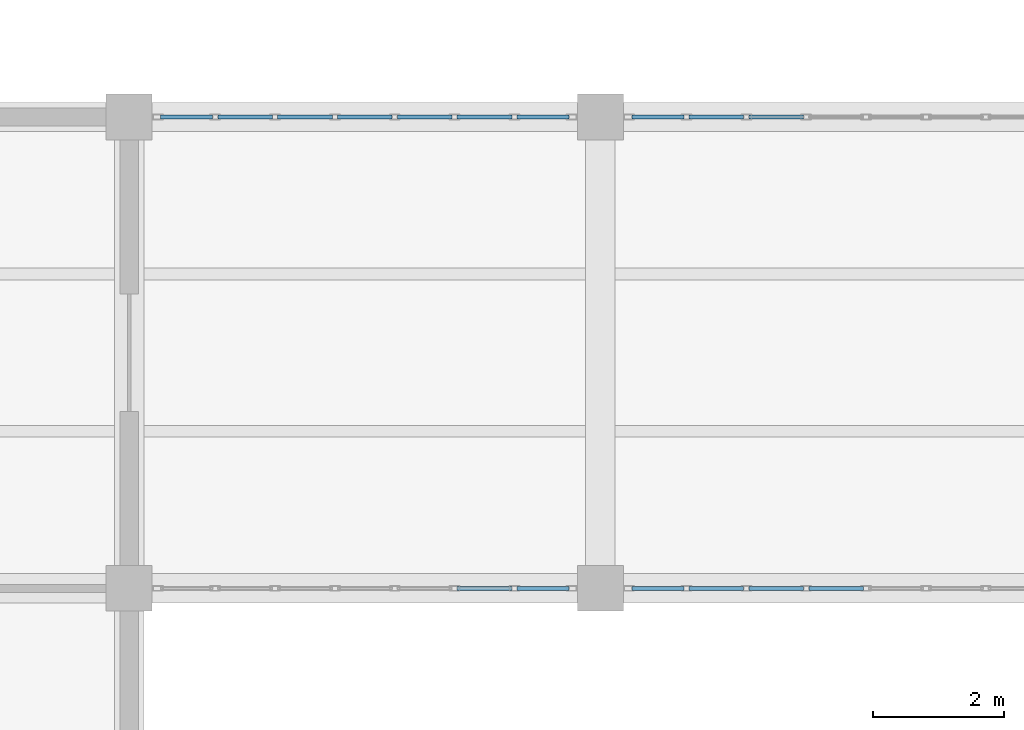
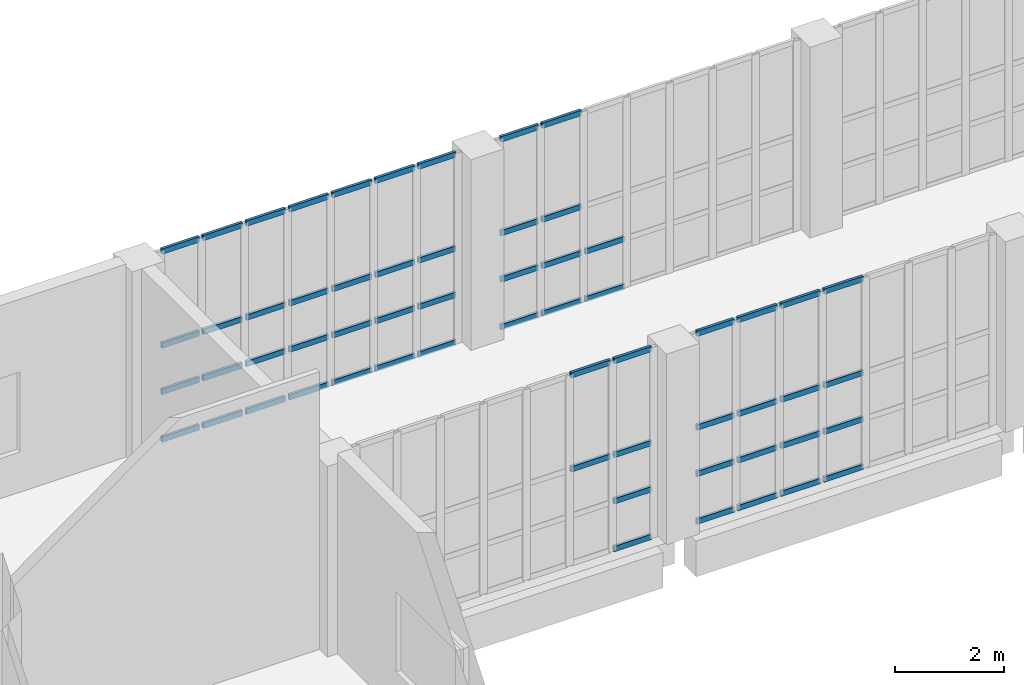
# One storey, part 54 of 108: 60 members, 4 elements without a shape of their own.
"""IFC4 building model written with IfcOpenShell, lengths in metres."""

from ifc_helpers import new_model, si_unit, direction, frame, origin, origin_2d, place, context, subcontext, project, spatial, hollow_rectangle, extrude, material, layer, layer_set, material_profile, profile_set, type_object, element, aggregate, save


model = new_model("IFC4")

# Units and contexts
model_context = context("Model", 3, precision=1e-05, world=origin(), true_north=direction((0.0, 1.0)))
body_context = subcontext(model_context, "Body", "Model", "MODEL_VIEW")
ifc_project = project(units=[si_unit("LENGTHUNIT", "METRE"), si_unit("AREAUNIT", "SQUARE_METRE"), si_unit("VOLUMEUNIT", "CUBIC_METRE"), si_unit("PLANEANGLEUNIT", "RADIAN"), si_unit("MASSUNIT", "GRAM", prefix="KILO"), si_unit("THERMODYNAMICTEMPERATUREUNIT", "KELVIN"), si_unit("POWERUNIT", "WATT")], contexts=[model_context])

# Site, building, storey
site_placement = place(None, origin())
site = spatial("IfcSite", under=ifc_project, at=site_placement, CompositionType="ELEMENT")
building_placement = place(site_placement, origin())
building = spatial("IfcBuilding", under=site, at=building_placement, Name="Kaldorven Railside Theatre", CompositionType="ELEMENT")
storey_placement = place(building_placement, frame((0.0, 0.0, 5.39990234375)))
storey = spatial("IfcBuildingStorey", under=building, at=storey_placement, Name="L01", CompositionType="ELEMENT", Elevation=5.39990234375)

# Curtain wall, members
ifc_material_1 = material(Name="Low-E laminated solar-control glass", Category="glass")
ifc_layer = layer(ifc_material_1, 0.159912109375, Name="Low-E laminated solar-control glass")
ifc_layer_set = layer_set([ifc_layer], Name="Low-E laminated solar-control glass")
curtain_wall_type = type_object("IfcCurtainWallType", Name="CWT-25", PredefinedType="USERDEFINED", material=ifc_layer_set)
curtain_wall_1_placement = place(storey_placement, origin())
curtain_wall_1 = element("IfcCurtainWall", 1, at=curtain_wall_1_placement, inside=storey, type_object=curtain_wall_type, Name="Sinusoidal Fluted Curtain Wall CW-L01-BS01", ObjectType="FLUTED GLAZING", PredefinedType="USERDEFINED")
ifc_material_2 = material(Name="Anodised bronze aluminium", Category="aluminium")
ifc_material_profile = material_profile(ifc_material_2, hollow_rectangle(XDim=0.06005859375, YDim=0.1201171875, WallThickness=0.0048828125, at=origin_2d()), Name="RHS 120x60x5")
ifc_profile_set = profile_set([ifc_material_profile], Name="Anodised bronze aluminium")
member_type = type_object("IfcMemberType", Name="CWT-120", PredefinedType="USERDEFINED", material=ifc_profile_set)
member_1_placement = place(storey_placement, frame((49.011474609375, 69.60009765625, 2.14013671875), z_axis=(1.0, 0.0, 0.0), x_axis=(0.0, 1.0, 0.0)))
member_1 = element("IfcMember", 2, at=member_1_placement, type_object=member_type, Name="CW-L01-BS01 transom 6.3", ObjectType="TRANSOM", PredefinedType="USERDEFINED", context=body_context, shape_type="SweptSolid", body=[
    extrude(hollow_rectangle(XDim=0.06005859375, YDim=0.1201171875, WallThickness=0.0048828125, at=origin_2d()), origin(), (0.0, 0.0, 1.0), 0.834228515625),
])
member_2_placement = place(storey_placement, frame((49.011474609375, 69.60009765625, 4.25), z_axis=(1.0, 0.0, 0.0), x_axis=(0.0, 1.0, 0.0)))
member_2 = element("IfcMember", 3, at=member_2_placement, type_object=member_type, Name="CW-L01-BS01 transom 6.4", ObjectType="TRANSOM", PredefinedType="USERDEFINED", context=body_context, shape_type="SweptSolid", body=[
    extrude(hollow_rectangle(XDim=0.06005859375, YDim=0.1201171875, WallThickness=0.0048828125, at=origin_2d()), origin(), (0.0, 0.0, 1.0), 0.834228515625),
])
member_3_placement = place(storey_placement, frame((49.92578125, 69.60009765625, 0.030029296875), z_axis=(1.0, 0.0, 0.0), x_axis=(0.0, 1.0, 0.0)))
member_3 = element("IfcMember", 4, at=member_3_placement, type_object=member_type, Name="CW-L01-BS01 transom 7.1", ObjectType="TRANSOM", PredefinedType="USERDEFINED", context=body_context, shape_type="SweptSolid", body=[
    extrude(hollow_rectangle(XDim=0.06005859375, YDim=0.1201171875, WallThickness=0.0048828125, at=origin_2d()), origin(), (0.0, 0.0, 1.0), 0.794189453125),
])
member_4_placement = place(storey_placement, frame((49.92578125, 69.60009765625, 1.10009765625), z_axis=(1.0, 0.0, 0.0), x_axis=(0.0, 1.0, 0.0)))
member_4 = element("IfcMember", 5, at=member_4_placement, type_object=member_type, Name="CW-L01-BS01 transom 7.2", ObjectType="TRANSOM", PredefinedType="USERDEFINED", context=body_context, shape_type="SweptSolid", body=[
    extrude(hollow_rectangle(XDim=0.06005859375, YDim=0.1201171875, WallThickness=0.0048828125, at=origin_2d()), origin(), (0.0, 0.0, 1.0), 0.794189453125),
])
member_5_placement = place(storey_placement, frame((49.92578125, 69.60009765625, 2.14013671875), z_axis=(1.0, 0.0, 0.0), x_axis=(0.0, 1.0, 0.0)))
member_5 = element("IfcMember", 6, at=member_5_placement, type_object=member_type, Name="CW-L01-BS01 transom 7.3", ObjectType="TRANSOM", PredefinedType="USERDEFINED", context=body_context, shape_type="SweptSolid", body=[
    extrude(hollow_rectangle(XDim=0.06005859375, YDim=0.1201171875, WallThickness=0.0048828125, at=origin_2d()), origin(), (0.0, 0.0, 1.0), 0.794189453125),
])
member_6_placement = place(storey_placement, frame((49.92578125, 69.60009765625, 4.25), z_axis=(1.0, 0.0, 0.0), x_axis=(0.0, 1.0, 0.0)))
member_6 = element("IfcMember", 7, at=member_6_placement, type_object=member_type, Name="CW-L01-BS01 transom 7.4", ObjectType="TRANSOM", PredefinedType="USERDEFINED", context=body_context, shape_type="SweptSolid", body=[
    extrude(hollow_rectangle(XDim=0.06005859375, YDim=0.1201171875, WallThickness=0.0048828125, at=origin_2d()), origin(), (0.0, 0.0, 1.0), 0.794189453125),
])
aggregate(curtain_wall_1, [member_1, member_2, member_3, member_4, member_5, member_6])

curtain_wall_2_placement = place(storey_placement, origin())
curtain_wall_2 = element("IfcCurtainWall", 8, at=curtain_wall_2_placement, inside=storey, type_object=curtain_wall_type, Name="Sinusoidal Fluted Curtain Wall CW-L01-BN01", ObjectType="FLUTED GLAZING", PredefinedType="USERDEFINED")
member_7_placement = place(storey_placement, frame((44.47998046875, 76.800048828125, 0.030029296875), z_axis=(1.0, 0.0, 0.0), x_axis=(0.0, 1.0, 0.0)))
member_7 = element("IfcMember", 9, at=member_7_placement, type_object=member_type, Name="CW-L01-BN01 transom 1.1", ObjectType="TRANSOM", PredefinedType="USERDEFINED", context=body_context, shape_type="SweptSolid", body=[
    extrude(hollow_rectangle(XDim=0.06005859375, YDim=0.1201171875, WallThickness=0.0048828125, at=origin_2d()), origin(), (0.0, 0.0, 1.0), 0.794189453125),
])
member_8_placement = place(storey_placement, frame((44.47998046875, 76.800048828125, 1.10009765625), z_axis=(1.0, 0.0, 0.0), x_axis=(0.0, 1.0, 0.0)))
member_8 = element("IfcMember", 10, at=member_8_placement, type_object=member_type, Name="CW-L01-BN01 transom 1.2", ObjectType="TRANSOM", PredefinedType="USERDEFINED", context=body_context, shape_type="SweptSolid", body=[
    extrude(hollow_rectangle(XDim=0.06005859375, YDim=0.1201171875, WallThickness=0.0048828125, at=origin_2d()), origin(), (0.0, 0.0, 1.0), 0.794189453125),
])
member_9_placement = place(storey_placement, frame((44.47998046875, 76.800048828125, 2.14013671875), z_axis=(1.0, 0.0, 0.0), x_axis=(0.0, 1.0, 0.0)))
member_9 = element("IfcMember", 11, at=member_9_placement, type_object=member_type, Name="CW-L01-BN01 transom 1.3", ObjectType="TRANSOM", PredefinedType="USERDEFINED", context=body_context, shape_type="SweptSolid", body=[
    extrude(hollow_rectangle(XDim=0.06005859375, YDim=0.1201171875, WallThickness=0.0048828125, at=origin_2d()), origin(), (0.0, 0.0, 1.0), 0.794189453125),
])
member_10_placement = place(storey_placement, frame((44.47998046875, 76.800048828125, 4.25), z_axis=(1.0, 0.0, 0.0), x_axis=(0.0, 1.0, 0.0)))
member_10 = element("IfcMember", 12, at=member_10_placement, type_object=member_type, Name="CW-L01-BN01 transom 1.4", ObjectType="TRANSOM", PredefinedType="USERDEFINED", context=body_context, shape_type="SweptSolid", body=[
    extrude(hollow_rectangle(XDim=0.06005859375, YDim=0.1201171875, WallThickness=0.0048828125, at=origin_2d()), origin(), (0.0, 0.0, 1.0), 0.794189453125),
])
member_11_placement = place(storey_placement, frame((45.354248046875, 76.800048828125, 0.030029296875), z_axis=(1.0, 0.0, 0.0), x_axis=(0.0, 1.0, 0.0)))
member_11 = element("IfcMember", 13, at=member_11_placement, type_object=member_type, Name="CW-L01-BN01 transom 2.1", ObjectType="TRANSOM", PredefinedType="USERDEFINED", context=body_context, shape_type="SweptSolid", body=[
    extrude(hollow_rectangle(XDim=0.06005859375, YDim=0.1201171875, WallThickness=0.0048828125, at=origin_2d()), origin(), (0.0, 0.0, 1.0), 0.834228515625),
])
member_12_placement = place(storey_placement, frame((45.354248046875, 76.800048828125, 1.10009765625), z_axis=(1.0, 0.0, 0.0), x_axis=(0.0, 1.0, 0.0)))
member_12 = element("IfcMember", 14, at=member_12_placement, type_object=member_type, Name="CW-L01-BN01 transom 2.2", ObjectType="TRANSOM", PredefinedType="USERDEFINED", context=body_context, shape_type="SweptSolid", body=[
    extrude(hollow_rectangle(XDim=0.06005859375, YDim=0.1201171875, WallThickness=0.0048828125, at=origin_2d()), origin(), (0.0, 0.0, 1.0), 0.834228515625),
])
member_13_placement = place(storey_placement, frame((45.354248046875, 76.800048828125, 2.14013671875), z_axis=(1.0, 0.0, 0.0), x_axis=(0.0, 1.0, 0.0)))
member_13 = element("IfcMember", 15, at=member_13_placement, type_object=member_type, Name="CW-L01-BN01 transom 2.3", ObjectType="TRANSOM", PredefinedType="USERDEFINED", context=body_context, shape_type="SweptSolid", body=[
    extrude(hollow_rectangle(XDim=0.06005859375, YDim=0.1201171875, WallThickness=0.0048828125, at=origin_2d()), origin(), (0.0, 0.0, 1.0), 0.834228515625),
])
member_14_placement = place(storey_placement, frame((45.354248046875, 76.800048828125, 4.25), z_axis=(1.0, 0.0, 0.0), x_axis=(0.0, 1.0, 0.0)))
member_14 = element("IfcMember", 16, at=member_14_placement, type_object=member_type, Name="CW-L01-BN01 transom 2.4", ObjectType="TRANSOM", PredefinedType="USERDEFINED", context=body_context, shape_type="SweptSolid", body=[
    extrude(hollow_rectangle(XDim=0.06005859375, YDim=0.1201171875, WallThickness=0.0048828125, at=origin_2d()), origin(), (0.0, 0.0, 1.0), 0.834228515625),
])
member_15_placement = place(storey_placement, frame((46.2685546875, 76.800048828125, 0.030029296875), z_axis=(1.0, 0.0, 0.0), x_axis=(0.0, 1.0, 0.0)))
member_15 = element("IfcMember", 17, at=member_15_placement, type_object=member_type, Name="CW-L01-BN01 transom 3.1", ObjectType="TRANSOM", PredefinedType="USERDEFINED", context=body_context, shape_type="SweptSolid", body=[
    extrude(hollow_rectangle(XDim=0.06005859375, YDim=0.1201171875, WallThickness=0.0048828125, at=origin_2d()), origin(), (0.0, 0.0, 1.0), 0.834228515625),
])
member_16_placement = place(storey_placement, frame((46.2685546875, 76.800048828125, 1.10009765625), z_axis=(1.0, 0.0, 0.0), x_axis=(0.0, 1.0, 0.0)))
member_16 = element("IfcMember", 18, at=member_16_placement, type_object=member_type, Name="CW-L01-BN01 transom 3.2", ObjectType="TRANSOM", PredefinedType="USERDEFINED", context=body_context, shape_type="SweptSolid", body=[
    extrude(hollow_rectangle(XDim=0.06005859375, YDim=0.1201171875, WallThickness=0.0048828125, at=origin_2d()), origin(), (0.0, 0.0, 1.0), 0.834228515625),
])
member_17_placement = place(storey_placement, frame((46.2685546875, 76.800048828125, 2.14013671875), z_axis=(1.0, 0.0, 0.0), x_axis=(0.0, 1.0, 0.0)))
member_17 = element("IfcMember", 19, at=member_17_placement, type_object=member_type, Name="CW-L01-BN01 transom 3.3", ObjectType="TRANSOM", PredefinedType="USERDEFINED", context=body_context, shape_type="SweptSolid", body=[
    extrude(hollow_rectangle(XDim=0.06005859375, YDim=0.1201171875, WallThickness=0.0048828125, at=origin_2d()), origin(), (0.0, 0.0, 1.0), 0.834228515625),
])
member_18_placement = place(storey_placement, frame((46.2685546875, 76.800048828125, 4.25), z_axis=(1.0, 0.0, 0.0), x_axis=(0.0, 1.0, 0.0)))
member_18 = element("IfcMember", 20, at=member_18_placement, type_object=member_type, Name="CW-L01-BN01 transom 3.4", ObjectType="TRANSOM", PredefinedType="USERDEFINED", context=body_context, shape_type="SweptSolid", body=[
    extrude(hollow_rectangle(XDim=0.06005859375, YDim=0.1201171875, WallThickness=0.0048828125, at=origin_2d()), origin(), (0.0, 0.0, 1.0), 0.834228515625),
])
member_19_placement = place(storey_placement, frame((47.182861328125, 76.800048828125, 0.030029296875), z_axis=(1.0, 0.0, 0.0), x_axis=(0.0, 1.0, 0.0)))
member_19 = element("IfcMember", 21, at=member_19_placement, type_object=member_type, Name="CW-L01-BN01 transom 4.1", ObjectType="TRANSOM", PredefinedType="USERDEFINED", context=body_context, shape_type="SweptSolid", body=[
    extrude(hollow_rectangle(XDim=0.06005859375, YDim=0.1201171875, WallThickness=0.0048828125, at=origin_2d()), origin(), (0.0, 0.0, 1.0), 0.834228515625),
])
member_20_placement = place(storey_placement, frame((47.182861328125, 76.800048828125, 1.10009765625), z_axis=(1.0, 0.0, 0.0), x_axis=(0.0, 1.0, 0.0)))
member_20 = element("IfcMember", 22, at=member_20_placement, type_object=member_type, Name="CW-L01-BN01 transom 4.2", ObjectType="TRANSOM", PredefinedType="USERDEFINED", context=body_context, shape_type="SweptSolid", body=[
    extrude(hollow_rectangle(XDim=0.06005859375, YDim=0.1201171875, WallThickness=0.0048828125, at=origin_2d()), origin(), (0.0, 0.0, 1.0), 0.834228515625),
])
member_21_placement = place(storey_placement, frame((47.182861328125, 76.800048828125, 2.14013671875), z_axis=(1.0, 0.0, 0.0), x_axis=(0.0, 1.0, 0.0)))
member_21 = element("IfcMember", 23, at=member_21_placement, type_object=member_type, Name="CW-L01-BN01 transom 4.3", ObjectType="TRANSOM", PredefinedType="USERDEFINED", context=body_context, shape_type="SweptSolid", body=[
    extrude(hollow_rectangle(XDim=0.06005859375, YDim=0.1201171875, WallThickness=0.0048828125, at=origin_2d()), origin(), (0.0, 0.0, 1.0), 0.834228515625),
])
member_22_placement = place(storey_placement, frame((47.182861328125, 76.800048828125, 4.25), z_axis=(1.0, 0.0, 0.0), x_axis=(0.0, 1.0, 0.0)))
member_22 = element("IfcMember", 24, at=member_22_placement, type_object=member_type, Name="CW-L01-BN01 transom 4.4", ObjectType="TRANSOM", PredefinedType="USERDEFINED", context=body_context, shape_type="SweptSolid", body=[
    extrude(hollow_rectangle(XDim=0.06005859375, YDim=0.1201171875, WallThickness=0.0048828125, at=origin_2d()), origin(), (0.0, 0.0, 1.0), 0.834228515625),
])
member_23_placement = place(storey_placement, frame((48.09716796875, 76.800048828125, 0.030029296875), z_axis=(1.0, 0.0, 0.0), x_axis=(0.0, 1.0, 0.0)))
member_23 = element("IfcMember", 25, at=member_23_placement, type_object=member_type, Name="CW-L01-BN01 transom 5.1", ObjectType="TRANSOM", PredefinedType="USERDEFINED", context=body_context, shape_type="SweptSolid", body=[
    extrude(hollow_rectangle(XDim=0.06005859375, YDim=0.1201171875, WallThickness=0.0048828125, at=origin_2d()), origin(), (0.0, 0.0, 1.0), 0.834228515625),
])
member_24_placement = place(storey_placement, frame((48.09716796875, 76.800048828125, 1.10009765625), z_axis=(1.0, 0.0, 0.0), x_axis=(0.0, 1.0, 0.0)))
member_24 = element("IfcMember", 26, at=member_24_placement, type_object=member_type, Name="CW-L01-BN01 transom 5.2", ObjectType="TRANSOM", PredefinedType="USERDEFINED", context=body_context, shape_type="SweptSolid", body=[
    extrude(hollow_rectangle(XDim=0.06005859375, YDim=0.1201171875, WallThickness=0.0048828125, at=origin_2d()), origin(), (0.0, 0.0, 1.0), 0.834228515625),
])
member_25_placement = place(storey_placement, frame((48.09716796875, 76.800048828125, 2.14013671875), z_axis=(1.0, 0.0, 0.0), x_axis=(0.0, 1.0, 0.0)))
member_25 = element("IfcMember", 27, at=member_25_placement, type_object=member_type, Name="CW-L01-BN01 transom 5.3", ObjectType="TRANSOM", PredefinedType="USERDEFINED", context=body_context, shape_type="SweptSolid", body=[
    extrude(hollow_rectangle(XDim=0.06005859375, YDim=0.1201171875, WallThickness=0.0048828125, at=origin_2d()), origin(), (0.0, 0.0, 1.0), 0.834228515625),
])
member_26_placement = place(storey_placement, frame((48.09716796875, 76.800048828125, 4.25), z_axis=(1.0, 0.0, 0.0), x_axis=(0.0, 1.0, 0.0)))
member_26 = element("IfcMember", 28, at=member_26_placement, type_object=member_type, Name="CW-L01-BN01 transom 5.4", ObjectType="TRANSOM", PredefinedType="USERDEFINED", context=body_context, shape_type="SweptSolid", body=[
    extrude(hollow_rectangle(XDim=0.06005859375, YDim=0.1201171875, WallThickness=0.0048828125, at=origin_2d()), origin(), (0.0, 0.0, 1.0), 0.834228515625),
])
member_27_placement = place(storey_placement, frame((49.011474609375, 76.800048828125, 0.030029296875), z_axis=(1.0, 0.0, 0.0), x_axis=(0.0, 1.0, 0.0)))
member_27 = element("IfcMember", 29, at=member_27_placement, type_object=member_type, Name="CW-L01-BN01 transom 6.1", ObjectType="TRANSOM", PredefinedType="USERDEFINED", context=body_context, shape_type="SweptSolid", body=[
    extrude(hollow_rectangle(XDim=0.06005859375, YDim=0.1201171875, WallThickness=0.0048828125, at=origin_2d()), origin(), (0.0, 0.0, 1.0), 0.834228515625),
])
member_28_placement = place(storey_placement, frame((49.011474609375, 76.800048828125, 1.10009765625), z_axis=(1.0, 0.0, 0.0), x_axis=(0.0, 1.0, 0.0)))
member_28 = element("IfcMember", 30, at=member_28_placement, type_object=member_type, Name="CW-L01-BN01 transom 6.2", ObjectType="TRANSOM", PredefinedType="USERDEFINED", context=body_context, shape_type="SweptSolid", body=[
    extrude(hollow_rectangle(XDim=0.06005859375, YDim=0.1201171875, WallThickness=0.0048828125, at=origin_2d()), origin(), (0.0, 0.0, 1.0), 0.834228515625),
])
member_29_placement = place(storey_placement, frame((49.011474609375, 76.800048828125, 2.14013671875), z_axis=(1.0, 0.0, 0.0), x_axis=(0.0, 1.0, 0.0)))
member_29 = element("IfcMember", 31, at=member_29_placement, type_object=member_type, Name="CW-L01-BN01 transom 6.3", ObjectType="TRANSOM", PredefinedType="USERDEFINED", context=body_context, shape_type="SweptSolid", body=[
    extrude(hollow_rectangle(XDim=0.06005859375, YDim=0.1201171875, WallThickness=0.0048828125, at=origin_2d()), origin(), (0.0, 0.0, 1.0), 0.834228515625),
])
member_30_placement = place(storey_placement, frame((49.011474609375, 76.800048828125, 4.25), z_axis=(1.0, 0.0, 0.0), x_axis=(0.0, 1.0, 0.0)))
member_30 = element("IfcMember", 32, at=member_30_placement, type_object=member_type, Name="CW-L01-BN01 transom 6.4", ObjectType="TRANSOM", PredefinedType="USERDEFINED", context=body_context, shape_type="SweptSolid", body=[
    extrude(hollow_rectangle(XDim=0.06005859375, YDim=0.1201171875, WallThickness=0.0048828125, at=origin_2d()), origin(), (0.0, 0.0, 1.0), 0.834228515625),
])
member_31_placement = place(storey_placement, frame((49.92578125, 76.800048828125, 0.030029296875), z_axis=(1.0, 0.0, 0.0), x_axis=(0.0, 1.0, 0.0)))
member_31 = element("IfcMember", 33, at=member_31_placement, type_object=member_type, Name="CW-L01-BN01 transom 7.1", ObjectType="TRANSOM", PredefinedType="USERDEFINED", context=body_context, shape_type="SweptSolid", body=[
    extrude(hollow_rectangle(XDim=0.06005859375, YDim=0.1201171875, WallThickness=0.0048828125, at=origin_2d()), origin(), (0.0, 0.0, 1.0), 0.794189453125),
])
member_32_placement = place(storey_placement, frame((49.92578125, 76.800048828125, 1.10009765625), z_axis=(1.0, 0.0, 0.0), x_axis=(0.0, 1.0, 0.0)))
member_32 = element("IfcMember", 34, at=member_32_placement, type_object=member_type, Name="CW-L01-BN01 transom 7.2", ObjectType="TRANSOM", PredefinedType="USERDEFINED", context=body_context, shape_type="SweptSolid", body=[
    extrude(hollow_rectangle(XDim=0.06005859375, YDim=0.1201171875, WallThickness=0.0048828125, at=origin_2d()), origin(), (0.0, 0.0, 1.0), 0.794189453125),
])
member_33_placement = place(storey_placement, frame((49.92578125, 76.800048828125, 2.14013671875), z_axis=(1.0, 0.0, 0.0), x_axis=(0.0, 1.0, 0.0)))
member_33 = element("IfcMember", 35, at=member_33_placement, type_object=member_type, Name="CW-L01-BN01 transom 7.3", ObjectType="TRANSOM", PredefinedType="USERDEFINED", context=body_context, shape_type="SweptSolid", body=[
    extrude(hollow_rectangle(XDim=0.06005859375, YDim=0.1201171875, WallThickness=0.0048828125, at=origin_2d()), origin(), (0.0, 0.0, 1.0), 0.794189453125),
])
member_34_placement = place(storey_placement, frame((49.92578125, 76.800048828125, 4.25), z_axis=(1.0, 0.0, 0.0), x_axis=(0.0, 1.0, 0.0)))
member_34 = element("IfcMember", 36, at=member_34_placement, type_object=member_type, Name="CW-L01-BN01 transom 7.4", ObjectType="TRANSOM", PredefinedType="USERDEFINED", context=body_context, shape_type="SweptSolid", body=[
    extrude(hollow_rectangle(XDim=0.06005859375, YDim=0.1201171875, WallThickness=0.0048828125, at=origin_2d()), origin(), (0.0, 0.0, 1.0), 0.794189453125),
])
aggregate(curtain_wall_2, [member_7, member_8, member_9, member_10, member_11, member_12, member_13, member_14, member_15, member_16, member_17, member_18, member_19, member_20, member_21, member_22, member_23, member_24, member_25, member_26, member_27, member_28, member_29, member_30, member_31, member_32, member_33, member_34])

curtain_wall_3_placement = place(storey_placement, origin())
curtain_wall_3 = element("IfcCurtainWall", 37, at=curtain_wall_3_placement, inside=storey, type_object=curtain_wall_type, Name="Sinusoidal Fluted Curtain Wall CW-L01-BS02", ObjectType="FLUTED GLAZING", PredefinedType="USERDEFINED")
member_35_placement = place(storey_placement, frame((51.679931640625, 69.60009765625, 0.030029296875), z_axis=(1.0, 0.0, 0.0), x_axis=(0.0, 1.0, 0.0)))
member_35 = element("IfcMember", 38, at=member_35_placement, type_object=member_type, Name="CW-L01-BS02 transom 1.1", ObjectType="TRANSOM", PredefinedType="USERDEFINED", context=body_context, shape_type="SweptSolid", body=[
    extrude(hollow_rectangle(XDim=0.06005859375, YDim=0.1201171875, WallThickness=0.0048828125, at=origin_2d()), origin(), (0.0, 0.0, 1.0), 0.79443359375),
])
member_36_placement = place(storey_placement, frame((51.679931640625, 69.60009765625, 1.10009765625), z_axis=(1.0, 0.0, 0.0), x_axis=(0.0, 1.0, 0.0)))
member_36 = element("IfcMember", 39, at=member_36_placement, type_object=member_type, Name="CW-L01-BS02 transom 1.2", ObjectType="TRANSOM", PredefinedType="USERDEFINED", context=body_context, shape_type="SweptSolid", body=[
    extrude(hollow_rectangle(XDim=0.06005859375, YDim=0.1201171875, WallThickness=0.0048828125, at=origin_2d()), origin(), (0.0, 0.0, 1.0), 0.79443359375),
])
member_37_placement = place(storey_placement, frame((51.679931640625, 69.60009765625, 2.14013671875), z_axis=(1.0, 0.0, 0.0), x_axis=(0.0, 1.0, 0.0)))
member_37 = element("IfcMember", 40, at=member_37_placement, type_object=member_type, Name="CW-L01-BS02 transom 1.3", ObjectType="TRANSOM", PredefinedType="USERDEFINED", context=body_context, shape_type="SweptSolid", body=[
    extrude(hollow_rectangle(XDim=0.06005859375, YDim=0.1201171875, WallThickness=0.0048828125, at=origin_2d()), origin(), (0.0, 0.0, 1.0), 0.79443359375),
])
member_38_placement = place(storey_placement, frame((51.679931640625, 69.60009765625, 4.25), z_axis=(1.0, 0.0, 0.0), x_axis=(0.0, 1.0, 0.0)))
member_38 = element("IfcMember", 41, at=member_38_placement, type_object=member_type, Name="CW-L01-BS02 transom 1.4", ObjectType="TRANSOM", PredefinedType="USERDEFINED", context=body_context, shape_type="SweptSolid", body=[
    extrude(hollow_rectangle(XDim=0.06005859375, YDim=0.1201171875, WallThickness=0.0048828125, at=origin_2d()), origin(), (0.0, 0.0, 1.0), 0.79443359375),
])
member_39_placement = place(storey_placement, frame((52.55419921875, 69.60009765625, 0.030029296875), z_axis=(1.0, 0.0, 0.0), x_axis=(0.0, 1.0, 0.0)))
member_39 = element("IfcMember", 42, at=member_39_placement, type_object=member_type, Name="CW-L01-BS02 transom 2.1", ObjectType="TRANSOM", PredefinedType="USERDEFINED", context=body_context, shape_type="SweptSolid", body=[
    extrude(hollow_rectangle(XDim=0.06005859375, YDim=0.1201171875, WallThickness=0.0048828125, at=origin_2d()), origin(), (0.0, 0.0, 1.0), 0.83447265625),
])
member_40_placement = place(storey_placement, frame((52.55419921875, 69.60009765625, 1.10009765625), z_axis=(1.0, 0.0, 0.0), x_axis=(0.0, 1.0, 0.0)))
member_40 = element("IfcMember", 43, at=member_40_placement, type_object=member_type, Name="CW-L01-BS02 transom 2.2", ObjectType="TRANSOM", PredefinedType="USERDEFINED", context=body_context, shape_type="SweptSolid", body=[
    extrude(hollow_rectangle(XDim=0.06005859375, YDim=0.1201171875, WallThickness=0.0048828125, at=origin_2d()), origin(), (0.0, 0.0, 1.0), 0.83447265625),
])
member_41_placement = place(storey_placement, frame((52.55419921875, 69.60009765625, 2.14013671875), z_axis=(1.0, 0.0, 0.0), x_axis=(0.0, 1.0, 0.0)))
member_41 = element("IfcMember", 44, at=member_41_placement, type_object=member_type, Name="CW-L01-BS02 transom 2.3", ObjectType="TRANSOM", PredefinedType="USERDEFINED", context=body_context, shape_type="SweptSolid", body=[
    extrude(hollow_rectangle(XDim=0.06005859375, YDim=0.1201171875, WallThickness=0.0048828125, at=origin_2d()), origin(), (0.0, 0.0, 1.0), 0.83447265625),
])
member_42_placement = place(storey_placement, frame((52.55419921875, 69.60009765625, 4.25), z_axis=(1.0, 0.0, 0.0), x_axis=(0.0, 1.0, 0.0)))
member_42 = element("IfcMember", 45, at=member_42_placement, type_object=member_type, Name="CW-L01-BS02 transom 2.4", ObjectType="TRANSOM", PredefinedType="USERDEFINED", context=body_context, shape_type="SweptSolid", body=[
    extrude(hollow_rectangle(XDim=0.06005859375, YDim=0.1201171875, WallThickness=0.0048828125, at=origin_2d()), origin(), (0.0, 0.0, 1.0), 0.83447265625),
])
member_43_placement = place(storey_placement, frame((53.468505859375, 69.60009765625, 0.030029296875), z_axis=(1.0, 0.0, 0.0), x_axis=(0.0, 1.0, 0.0)))
member_43 = element("IfcMember", 46, at=member_43_placement, type_object=member_type, Name="CW-L01-BS02 transom 3.1", ObjectType="TRANSOM", PredefinedType="USERDEFINED", context=body_context, shape_type="SweptSolid", body=[
    extrude(hollow_rectangle(XDim=0.06005859375, YDim=0.1201171875, WallThickness=0.0048828125, at=origin_2d()), origin(), (0.0, 0.0, 1.0), 0.83447265625),
])
member_44_placement = place(storey_placement, frame((53.468505859375, 69.60009765625, 1.10009765625), z_axis=(1.0, 0.0, 0.0), x_axis=(0.0, 1.0, 0.0)))
member_44 = element("IfcMember", 47, at=member_44_placement, type_object=member_type, Name="CW-L01-BS02 transom 3.2", ObjectType="TRANSOM", PredefinedType="USERDEFINED", context=body_context, shape_type="SweptSolid", body=[
    extrude(hollow_rectangle(XDim=0.06005859375, YDim=0.1201171875, WallThickness=0.0048828125, at=origin_2d()), origin(), (0.0, 0.0, 1.0), 0.83447265625),
])
member_45_placement = place(storey_placement, frame((53.468505859375, 69.60009765625, 2.14013671875), z_axis=(1.0, 0.0, 0.0), x_axis=(0.0, 1.0, 0.0)))
member_45 = element("IfcMember", 48, at=member_45_placement, type_object=member_type, Name="CW-L01-BS02 transom 3.3", ObjectType="TRANSOM", PredefinedType="USERDEFINED", context=body_context, shape_type="SweptSolid", body=[
    extrude(hollow_rectangle(XDim=0.06005859375, YDim=0.1201171875, WallThickness=0.0048828125, at=origin_2d()), origin(), (0.0, 0.0, 1.0), 0.83447265625),
])
member_46_placement = place(storey_placement, frame((53.468505859375, 69.60009765625, 4.25), z_axis=(1.0, 0.0, 0.0), x_axis=(0.0, 1.0, 0.0)))
member_46 = element("IfcMember", 49, at=member_46_placement, type_object=member_type, Name="CW-L01-BS02 transom 3.4", ObjectType="TRANSOM", PredefinedType="USERDEFINED", context=body_context, shape_type="SweptSolid", body=[
    extrude(hollow_rectangle(XDim=0.06005859375, YDim=0.1201171875, WallThickness=0.0048828125, at=origin_2d()), origin(), (0.0, 0.0, 1.0), 0.83447265625),
])
member_47_placement = place(storey_placement, frame((54.3828125, 69.60009765625, 0.030029296875), z_axis=(1.0, 0.0, 0.0), x_axis=(0.0, 1.0, 0.0)))
member_47 = element("IfcMember", 50, at=member_47_placement, type_object=member_type, Name="CW-L01-BS02 transom 4.1", ObjectType="TRANSOM", PredefinedType="USERDEFINED", context=body_context, shape_type="SweptSolid", body=[
    extrude(hollow_rectangle(XDim=0.06005859375, YDim=0.1201171875, WallThickness=0.0048828125, at=origin_2d()), origin(), (0.0, 0.0, 1.0), 0.834228515625),
])
member_48_placement = place(storey_placement, frame((54.3828125, 69.60009765625, 1.10009765625), z_axis=(1.0, 0.0, 0.0), x_axis=(0.0, 1.0, 0.0)))
member_48 = element("IfcMember", 51, at=member_48_placement, type_object=member_type, Name="CW-L01-BS02 transom 4.2", ObjectType="TRANSOM", PredefinedType="USERDEFINED", context=body_context, shape_type="SweptSolid", body=[
    extrude(hollow_rectangle(XDim=0.06005859375, YDim=0.1201171875, WallThickness=0.0048828125, at=origin_2d()), origin(), (0.0, 0.0, 1.0), 0.834228515625),
])
member_49_placement = place(storey_placement, frame((54.3828125, 69.60009765625, 2.14013671875), z_axis=(1.0, 0.0, 0.0), x_axis=(0.0, 1.0, 0.0)))
member_49 = element("IfcMember", 52, at=member_49_placement, type_object=member_type, Name="CW-L01-BS02 transom 4.3", ObjectType="TRANSOM", PredefinedType="USERDEFINED", context=body_context, shape_type="SweptSolid", body=[
    extrude(hollow_rectangle(XDim=0.06005859375, YDim=0.1201171875, WallThickness=0.0048828125, at=origin_2d()), origin(), (0.0, 0.0, 1.0), 0.834228515625),
])
member_50_placement = place(storey_placement, frame((54.3828125, 69.60009765625, 4.25), z_axis=(1.0, 0.0, 0.0), x_axis=(0.0, 1.0, 0.0)))
member_50 = element("IfcMember", 53, at=member_50_placement, type_object=member_type, Name="CW-L01-BS02 transom 4.4", ObjectType="TRANSOM", PredefinedType="USERDEFINED", context=body_context, shape_type="SweptSolid", body=[
    extrude(hollow_rectangle(XDim=0.06005859375, YDim=0.1201171875, WallThickness=0.0048828125, at=origin_2d()), origin(), (0.0, 0.0, 1.0), 0.834228515625),
])
aggregate(curtain_wall_3, [member_35, member_36, member_37, member_38, member_39, member_40, member_41, member_42, member_43, member_44, member_45, member_46, member_47, member_48, member_49, member_50])

curtain_wall_4_placement = place(storey_placement, origin())
curtain_wall_4 = element("IfcCurtainWall", 54, at=curtain_wall_4_placement, inside=storey, type_object=curtain_wall_type, Name="Sinusoidal Fluted Curtain Wall CW-L01-BN02", ObjectType="FLUTED GLAZING", PredefinedType="USERDEFINED")
member_51_placement = place(storey_placement, frame((51.679931640625, 76.800048828125, 0.030029296875), z_axis=(1.0, 0.0, 0.0), x_axis=(0.0, 1.0, 0.0)))
member_51 = element("IfcMember", 55, at=member_51_placement, type_object=member_type, Name="CW-L01-BN02 transom 1.1", ObjectType="TRANSOM", PredefinedType="USERDEFINED", context=body_context, shape_type="SweptSolid", body=[
    extrude(hollow_rectangle(XDim=0.06005859375, YDim=0.1201171875, WallThickness=0.0048828125, at=origin_2d()), origin(), (0.0, 0.0, 1.0), 0.79443359375),
])
member_52_placement = place(storey_placement, frame((51.679931640625, 76.800048828125, 1.10009765625), z_axis=(1.0, 0.0, 0.0), x_axis=(0.0, 1.0, 0.0)))
member_52 = element("IfcMember", 56, at=member_52_placement, type_object=member_type, Name="CW-L01-BN02 transom 1.2", ObjectType="TRANSOM", PredefinedType="USERDEFINED", context=body_context, shape_type="SweptSolid", body=[
    extrude(hollow_rectangle(XDim=0.06005859375, YDim=0.1201171875, WallThickness=0.0048828125, at=origin_2d()), origin(), (0.0, 0.0, 1.0), 0.79443359375),
])
member_53_placement = place(storey_placement, frame((51.679931640625, 76.800048828125, 2.14013671875), z_axis=(1.0, 0.0, 0.0), x_axis=(0.0, 1.0, 0.0)))
member_53 = element("IfcMember", 57, at=member_53_placement, type_object=member_type, Name="CW-L01-BN02 transom 1.3", ObjectType="TRANSOM", PredefinedType="USERDEFINED", context=body_context, shape_type="SweptSolid", body=[
    extrude(hollow_rectangle(XDim=0.06005859375, YDim=0.1201171875, WallThickness=0.0048828125, at=origin_2d()), origin(), (0.0, 0.0, 1.0), 0.79443359375),
])
member_54_placement = place(storey_placement, frame((51.679931640625, 76.800048828125, 4.25), z_axis=(1.0, 0.0, 0.0), x_axis=(0.0, 1.0, 0.0)))
member_54 = element("IfcMember", 58, at=member_54_placement, type_object=member_type, Name="CW-L01-BN02 transom 1.4", ObjectType="TRANSOM", PredefinedType="USERDEFINED", context=body_context, shape_type="SweptSolid", body=[
    extrude(hollow_rectangle(XDim=0.06005859375, YDim=0.1201171875, WallThickness=0.0048828125, at=origin_2d()), origin(), (0.0, 0.0, 1.0), 0.79443359375),
])
member_55_placement = place(storey_placement, frame((52.55419921875, 76.800048828125, 0.030029296875), z_axis=(1.0, 0.0, 0.0), x_axis=(0.0, 1.0, 0.0)))
member_55 = element("IfcMember", 59, at=member_55_placement, type_object=member_type, Name="CW-L01-BN02 transom 2.1", ObjectType="TRANSOM", PredefinedType="USERDEFINED", context=body_context, shape_type="SweptSolid", body=[
    extrude(hollow_rectangle(XDim=0.06005859375, YDim=0.1201171875, WallThickness=0.0048828125, at=origin_2d()), origin(), (0.0, 0.0, 1.0), 0.83447265625),
])
member_56_placement = place(storey_placement, frame((52.55419921875, 76.800048828125, 1.10009765625), z_axis=(1.0, 0.0, 0.0), x_axis=(0.0, 1.0, 0.0)))
member_56 = element("IfcMember", 60, at=member_56_placement, type_object=member_type, Name="CW-L01-BN02 transom 2.2", ObjectType="TRANSOM", PredefinedType="USERDEFINED", context=body_context, shape_type="SweptSolid", body=[
    extrude(hollow_rectangle(XDim=0.06005859375, YDim=0.1201171875, WallThickness=0.0048828125, at=origin_2d()), origin(), (0.0, 0.0, 1.0), 0.83447265625),
])
member_57_placement = place(storey_placement, frame((52.55419921875, 76.800048828125, 2.14013671875), z_axis=(1.0, 0.0, 0.0), x_axis=(0.0, 1.0, 0.0)))
member_57 = element("IfcMember", 61, at=member_57_placement, type_object=member_type, Name="CW-L01-BN02 transom 2.3", ObjectType="TRANSOM", PredefinedType="USERDEFINED", context=body_context, shape_type="SweptSolid", body=[
    extrude(hollow_rectangle(XDim=0.06005859375, YDim=0.1201171875, WallThickness=0.0048828125, at=origin_2d()), origin(), (0.0, 0.0, 1.0), 0.83447265625),
])
member_58_placement = place(storey_placement, frame((52.55419921875, 76.800048828125, 4.25), z_axis=(1.0, 0.0, 0.0), x_axis=(0.0, 1.0, 0.0)))
member_58 = element("IfcMember", 62, at=member_58_placement, type_object=member_type, Name="CW-L01-BN02 transom 2.4", ObjectType="TRANSOM", PredefinedType="USERDEFINED", context=body_context, shape_type="SweptSolid", body=[
    extrude(hollow_rectangle(XDim=0.06005859375, YDim=0.1201171875, WallThickness=0.0048828125, at=origin_2d()), origin(), (0.0, 0.0, 1.0), 0.83447265625),
])
member_59_placement = place(storey_placement, frame((53.468505859375, 76.800048828125, 0.030029296875), z_axis=(1.0, 0.0, 0.0), x_axis=(0.0, 1.0, 0.0)))
member_59 = element("IfcMember", 63, at=member_59_placement, type_object=member_type, Name="CW-L01-BN02 transom 3.1", ObjectType="TRANSOM", PredefinedType="USERDEFINED", context=body_context, shape_type="SweptSolid", body=[
    extrude(hollow_rectangle(XDim=0.06005859375, YDim=0.1201171875, WallThickness=0.0048828125, at=origin_2d()), origin(), (0.0, 0.0, 1.0), 0.83447265625),
])
member_60_placement = place(storey_placement, frame((53.468505859375, 76.800048828125, 1.10009765625), z_axis=(1.0, 0.0, 0.0), x_axis=(0.0, 1.0, 0.0)))
member_60 = element("IfcMember", 64, at=member_60_placement, type_object=member_type, Name="CW-L01-BN02 transom 3.2", ObjectType="TRANSOM", PredefinedType="USERDEFINED", context=body_context, shape_type="SweptSolid", body=[
    extrude(hollow_rectangle(XDim=0.06005859375, YDim=0.1201171875, WallThickness=0.0048828125, at=origin_2d()), origin(), (0.0, 0.0, 1.0), 0.83447265625),
])
aggregate(curtain_wall_4, [member_51, member_52, member_53, member_54, member_55, member_56, member_57, member_58, member_59, member_60])

save(model, "model.ifc")
